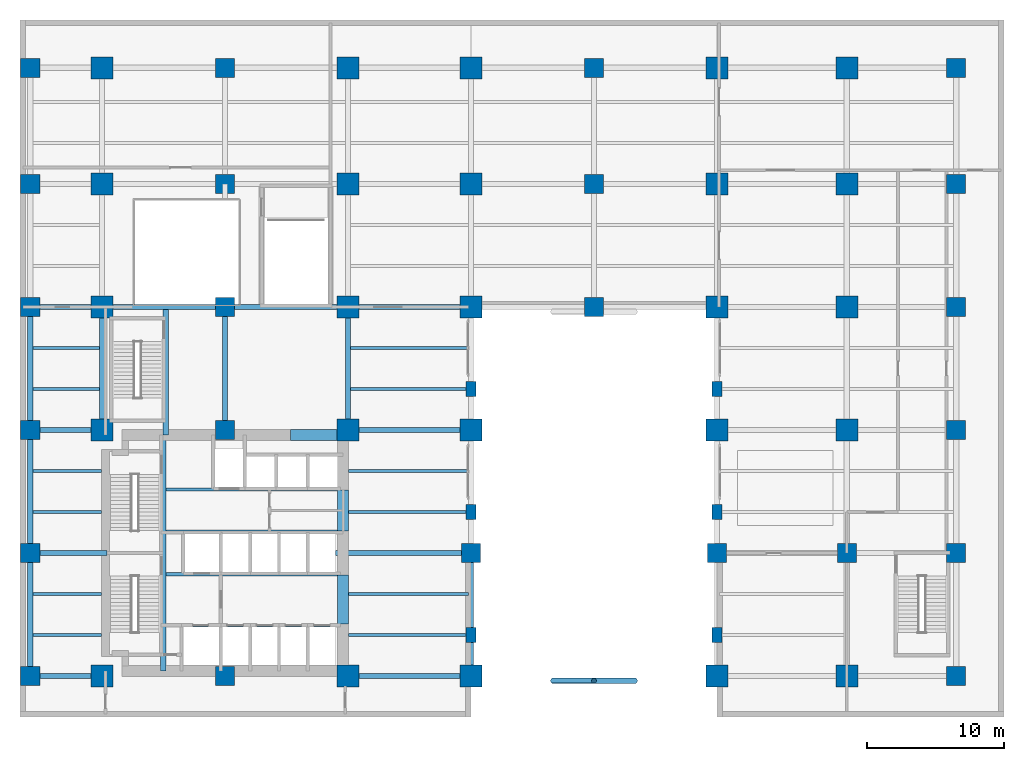
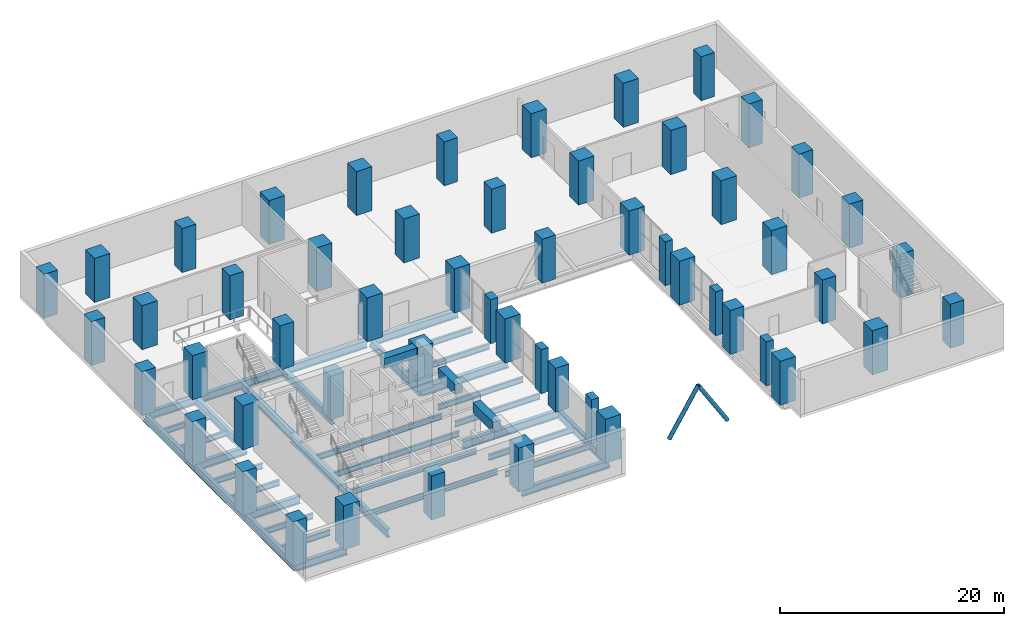
# One storey, part 1 of 13: 54 columns, 38 beams, 2 members.
"""IFC4 building model written with IfcOpenShell, lengths in metres."""

from ifc_helpers import new_model, si_unit, direction, frame, origin, origin_2d, place, context, subcontext, project, spatial, rectangle, hollow_circle, i_section, extrude, material, material_profile, profile_set, type_object, element, save


model = new_model("IFC4")

# Units and contexts
model_context = context("Model", 3, precision=1e-05, world=origin(), true_north=direction((0.0, 1.0)))
body_context = subcontext(model_context, "Body", "Model", "MODEL_VIEW")
ifc_project = project(units=[si_unit("LENGTHUNIT", "METRE"), si_unit("AREAUNIT", "SQUARE_METRE"), si_unit("VOLUMEUNIT", "CUBIC_METRE"), si_unit("PLANEANGLEUNIT", "RADIAN"), si_unit("MASSUNIT", "GRAM", prefix="KILO")], contexts=[model_context])

# Site, building, storey
site_placement = place(None, origin())
site = spatial("IfcSite", under=ifc_project, at=site_placement, CompositionType="ELEMENT")
building_placement = place(site_placement, origin())
building = spatial("IfcBuilding", under=site, at=building_placement, Name="Mawjdan Bourse Tower", CompositionType="ELEMENT")
storey_placement = place(building_placement, frame((0.0, 0.0, 10.800048828125)))
storey = spatial("IfcBuildingStorey", under=building, at=storey_placement, Name="L02", CompositionType="ELEMENT", Elevation=10.800048828125)

# Columns
ifc_material_1 = material(Name="Concrete C80/95", Category="concrete")
ifc_material_profile_1 = material_profile(ifc_material_1, rectangle(XDim=1.39990234375, YDim=1.39990234375, at=origin_2d()), Name="RC1400X1400")
ifc_profile_set_1 = profile_set([ifc_material_profile_1], Name="Concrete C80/95")
column_type_1 = type_object("IfcColumnType", Name="COL-RC1400X1400", PredefinedType="COLUMN", material=ifc_profile_set_1)
for number, where, z_axis, x_axis, name in (
    (1, (0.75, 3.0, 0.0), (0.0, 0.0, 1.0), (1.0, 0.0, 0.0), "L02 Structural Column C-X8-Y30"),
    (2, (0.75, 12.0, 0.0), (0.0, 0.0, 1.0), (1.0, 0.0, 0.0), "L02 Structural Column C-X8-Y120"),
    (3, (0.75, 21.0, 0.0), (0.0, 0.0, 1.0), (1.0, 0.0, 0.0), "L02 Structural Column C-X8-Y210"),
    (4, (0.75, 30.0, 0.0), (0.0, 0.0, 1.0), (1.0, 0.0, 0.0), "L02 Structural Column C-X8-Y300"),
    (5, (0.75, 39.0, 0.0), (0.0, 0.0, 1.0), (1.0, 0.0, 0.0), "L02 Structural Column C-X8-Y390"),
    (6, (0.75, 47.5, 0.0), (0.0, 0.0, 1.0), (1.0, 0.0, 0.0), "L02 Structural Column C-X8-Y475"),
    (7, (15.0, 3.0, 0.0), (0.0, 0.0, 1.0), (1.0, 0.0, 0.0), "L02 Structural Column C-X150-Y30"),
    (8, (15.0, 21.0, 0.0), (0.0, 0.0, 1.0), (1.0, 0.0, 0.0), "L02 Structural Column C-X150-Y210"),
    (9, (15.0, 30.0, 0.0), (0.0, 0.0, 1.0), (1.0, 0.0, 0.0), "L02 Structural Column C-X150-Y300"),
    (10, (15.0, 39.0, 0.0), (0.0, 0.0, 1.0), (1.0, 0.0, 0.0), "L02 Structural Column C-X150-Y390"),
    (11, (15.0, 47.5, 0.0), (0.0, 0.0, 1.0), (1.0, 0.0, 0.0), "L02 Structural Column C-X150-Y475"),
    (12, (33.0, 12.0, 0.0), (0.0, 0.0, 1.0), (1.0, 0.0, 0.0), "L02 Structural Column C-X330-Y120"),
    (13, (42.0, 30.0, 0.0), (0.0, 0.0, 1.0), (1.0, 0.0, 0.0), "L02 Structural Column C-X420-Y300"),
    (14, (42.0, 39.0, 0.0), (0.0, 0.0, 1.0), (1.0, 0.0, 0.0), "L02 Structural Column C-X420-Y390"),
    (15, (42.0, 47.5, 0.0), (0.0, 0.0, 1.0), (1.0, 0.0, 0.0), "L02 Structural Column C-X420-Y475"),
    (16, (51.0, 12.0, 0.0), (0.0, 0.0, 1.0), (1.0, 0.0, 0.0), "L02 Structural Column C-X510-Y120"),
    (17, (60.5, 12.0, 0.0), (0.0, 0.0, 1.0), (1.0, 0.0, 0.0), "L02 Structural Column C-X605-Y120"),
    (18, (68.5, 3.0, 0.0), (0.0, 0.0, 1.0), (1.0, 0.0, 0.0), "L02 Structural Column C-X685-Y30"),
    (19, (68.5, 12.0, 0.0), (0.0, 0.0, 1.0), (1.0, 0.0, 0.0), "L02 Structural Column C-X685-Y120"),
    (20, (68.5, 21.0, 0.0), (0.0, 0.0, 1.0), (1.0, 0.0, 0.0), "L02 Structural Column C-X685-Y210"),
    (21, (68.5, 30.0, 0.0), (0.0, 0.0, 1.0), (1.0, 0.0, 0.0), "L02 Structural Column C-X685-Y300"),
    (22, (68.5, 39.0, 0.0), (0.0, 0.0, 1.0), (1.0, 0.0, 0.0), "L02 Structural Column C-X685-Y390"),
    (23, (68.5, 47.5, 0.0), (0.0, 0.0, 1.0), (1.0, 0.0, 0.0), "L02 Structural Column C-X685-Y475"),
):
    element("IfcColumn", number, at=place(storey_placement, frame(where, z_axis=z_axis, x_axis=x_axis)), inside=storey, type_object=column_type_1, Name=name, PredefinedType="COLUMN", context=body_context, shape_type="SweptSolid", body=[
        extrude(rectangle(XDim=1.39990234375, YDim=1.39990234375, at=origin_2d()), origin(), (0.0, 0.0, 1.0), 4.800048828125),
    ])
ifc_material_profile_2 = material_profile(ifc_material_1, rectangle(XDim=1.60009765625, YDim=1.60009765625, at=origin_2d()), Name="RC1600X1600")
ifc_profile_set_2 = profile_set([ifc_material_profile_2], Name="Concrete C80/95")
column_type_2 = type_object("IfcColumnType", Name="COL-RC1600X1600", PredefinedType="COLUMN", material=ifc_profile_set_2)
for number, where, z_axis, x_axis, name in (
    (24, (6.0, 3.0, 0.0), (0.0, 0.0, 1.0), (1.0, 0.0, 0.0), "L02 Structural Column C-X60-Y30"),
    (25, (6.0, 21.0, 0.0), (0.0, 0.0, 1.0), (1.0, 0.0, 0.0), "L02 Structural Column C-X60-Y210"),
    (26, (6.0, 30.0, 0.0), (0.0, 0.0, 1.0), (1.0, 0.0, 0.0), "L02 Structural Column C-X60-Y300"),
    (27, (6.0, 39.0, 0.0), (0.0, 0.0, 1.0), (1.0, 0.0, 0.0), "L02 Structural Column C-X60-Y390"),
    (28, (6.0, 47.5, 0.0), (0.0, 0.0, 1.0), (1.0, 0.0, 0.0), "L02 Structural Column C-X60-Y475"),
    (29, (24.0, 3.0, 0.0), (0.0, 0.0, 1.0), (1.0, 0.0, 0.0), "L02 Structural Column C-X240-Y30"),
    (30, (24.0, 21.0, 0.0), (0.0, 0.0, 1.0), (1.0, 0.0, 0.0), "L02 Structural Column C-X240-Y210"),
    (31, (24.0, 30.0, 0.0), (0.0, 0.0, 1.0), (1.0, 0.0, 0.0), "L02 Structural Column C-X240-Y300"),
    (32, (24.0, 39.0, 0.0), (0.0, 0.0, 1.0), (1.0, 0.0, 0.0), "L02 Structural Column C-X240-Y390"),
    (33, (24.0, 47.5, 0.0), (0.0, 0.0, 1.0), (1.0, 0.0, 0.0), "L02 Structural Column C-X240-Y475"),
    (34, (33.0, 3.0, 0.0), (0.0, 0.0, 1.0), (1.0, 0.0, 0.0), "L02 Structural Column C-X330-Y30"),
    (35, (33.0, 21.0, 0.0), (0.0, 0.0, 1.0), (1.0, 0.0, 0.0), "L02 Structural Column C-X330-Y210"),
    (36, (33.0, 30.0, 0.0), (0.0, 0.0, 1.0), (1.0, 0.0, 0.0), "L02 Structural Column C-X330-Y300"),
    (37, (33.0, 39.0, 0.0), (0.0, 0.0, 1.0), (1.0, 0.0, 0.0), "L02 Structural Column C-X330-Y390"),
    (38, (33.0, 47.5, 0.0), (0.0, 0.0, 1.0), (1.0, 0.0, 0.0), "L02 Structural Column C-X330-Y475"),
    (39, (51.0, 3.0, 0.0), (0.0, 0.0, 1.0), (1.0, 0.0, 0.0), "L02 Structural Column C-X510-Y30"),
    (40, (51.0, 21.0, 0.0), (0.0, 0.0, 1.0), (1.0, 0.0, 0.0), "L02 Structural Column C-X510-Y210"),
    (41, (51.0, 30.0, 0.0), (0.0, 0.0, 1.0), (1.0, 0.0, 0.0), "L02 Structural Column C-X510-Y300"),
    (42, (51.0, 39.0, 0.0), (0.0, 0.0, 1.0), (1.0, 0.0, 0.0), "L02 Structural Column C-X510-Y390"),
    (43, (51.0, 47.5, 0.0), (0.0, 0.0, 1.0), (1.0, 0.0, 0.0), "L02 Structural Column C-X510-Y475"),
    (44, (60.5, 3.0, 0.0), (0.0, 0.0, 1.0), (1.0, 0.0, 0.0), "L02 Structural Column C-X605-Y30"),
    (45, (60.5, 21.0, 0.0), (0.0, 0.0, 1.0), (1.0, 0.0, 0.0), "L02 Structural Column C-X605-Y210"),
    (46, (60.5, 30.0, 0.0), (0.0, 0.0, 1.0), (1.0, 0.0, 0.0), "L02 Structural Column C-X605-Y300"),
    (47, (60.5, 39.0, 0.0), (0.0, 0.0, 1.0), (1.0, 0.0, 0.0), "L02 Structural Column C-X605-Y390"),
    (48, (60.5, 47.5, 0.0), (0.0, 0.0, 1.0), (1.0, 0.0, 0.0), "L02 Structural Column C-X605-Y475"),
):
    element("IfcColumn", number, at=place(storey_placement, frame(where, z_axis=z_axis, x_axis=x_axis)), inside=storey, type_object=column_type_2, Name=name, PredefinedType="COLUMN", context=body_context, shape_type="SweptSolid", body=[
        extrude(rectangle(XDim=1.60009765625, YDim=1.60009765625, at=origin_2d()), origin(), (0.0, 0.0, 1.0), 4.800048828125),
    ])
ifc_material_2 = material(Name="Concrete C70/85", Category="concrete")
ifc_material_profile_3 = material_profile(ifc_material_2, rectangle(XDim=0.75, YDim=1.10009765625, at=origin_2d()), Name="RC1100X750")
ifc_profile_set_3 = profile_set([ifc_material_profile_3], Name="Concrete C70/85")
column_type_3 = type_object("IfcColumnType", Name="PIL-RC1100X750", PredefinedType="PILASTER", material=ifc_profile_set_3)
for number, where, z_axis, x_axis, name in (
    (49, (33.0, 6.0, 0.0), (0.0, 0.0, 1.0), (1.0, 0.0, 0.0), "L02 Engaged Pier Pilaster PIL-X330-Y60"),
    (50, (33.0, 15.0, 0.0), (0.0, 0.0, 1.0), (1.0, 0.0, 0.0), "L02 Engaged Pier Pilaster PIL-X330-Y150"),
    (51, (33.0, 24.0, 0.0), (0.0, 0.0, 1.0), (1.0, 0.0, 0.0), "L02 Engaged Pier Pilaster PIL-X330-Y240"),
    (52, (51.0, 6.0, 0.0), (0.0, 0.0, 1.0), (1.0, 0.0, 0.0), "L02 Engaged Pier Pilaster PIL-X510-Y60"),
    (53, (51.0, 15.0, 0.0), (0.0, 0.0, 1.0), (1.0, 0.0, 0.0), "L02 Engaged Pier Pilaster PIL-X510-Y150"),
    (54, (51.0, 24.0, 0.0), (0.0, 0.0, 1.0), (1.0, 0.0, 0.0), "L02 Engaged Pier Pilaster PIL-X510-Y240"),
):
    element("IfcColumn", number, at=place(storey_placement, frame(where, z_axis=z_axis, x_axis=x_axis)), inside=storey, type_object=column_type_3, Name=name, PredefinedType="PILASTER", context=body_context, shape_type="SweptSolid", body=[
        extrude(rectangle(XDim=0.75, YDim=1.10009765625, at=origin_2d()), origin(), (0.0, 0.0, 1.0), 4.800048828125),
    ])

# Members
ifc_material_3 = material(Name="Structural Steel S460", Category="steel")
ifc_material_profile_4 = material_profile(ifc_material_3, hollow_circle(Radius=0.203125, WallThickness=0.01611328125, at=origin_2d()), Name="CHS406X16")
ifc_profile_set_4 = profile_set([ifc_material_profile_4], Name="Structural Steel S460")
member_type = type_object("IfcMemberType", Name="ARC-CHS406X16", PredefinedType="USERDEFINED", material=ifc_profile_set_4)
for number, where, z_axis, x_axis, name in (
    (55, (39.0, 2.64990234375, 0.0), (0.529995063044, 0.0, 0.848000727092), (0.0, 1.0, 0.0), "L02 Giant Arch Structural Rib SOUTH 5"),
    (56, (45.0, 2.64990234375, 0.0), (-0.529995063044, 0.0, 0.848000727092), (0.0, -1.0, 0.0), "L02 Giant Arch Structural Rib SOUTH 6"),
):
    element("IfcMember", number, at=place(storey_placement, frame(where, z_axis=z_axis, x_axis=x_axis)), inside=storey, type_object=member_type, Name=name, ObjectType="ARCH RIB", PredefinedType="USERDEFINED", context=body_context, shape_type="SweptSolid", body=[
        extrude(hollow_circle(Radius=0.203125, WallThickness=0.01611328125, at=origin_2d()), origin(), (0.0, 0.0, 1.0), 5.660400390625),
    ])

# Beams
ifc_material_4 = material(Name="Structural Steel S355", Category="steel")
ifc_material_profile_5 = material_profile(ifc_material_4, i_section(OverallWidth=0.39892578125, OverallDepth=0.85595703125, WebThickness=0.018310546875, FlangeThickness=0.029296875, FilletRadius=0.0234375, at=origin_2d()), Name="W33X201")
ifc_profile_set_5 = profile_set([ifc_material_profile_5], Name="Structural Steel S355")
beam_type_1 = type_object("IfcBeamType", Name="GRD-W33X201", PredefinedType="BEAM", material=ifc_profile_set_5)
beam_1_placement = place(storey_placement, frame((10.47998046875, 3.35009765625, -0.72802734375), z_axis=(0.0, 1.0, 0.0), x_axis=(-1.0, 0.0, 0.0)))
element("IfcBeam", 57, at=beam_1_placement, inside=storey, type_object=beam_type_1, Name="L02 Core Stair Trimmer Girder 001", PredefinedType="BEAM", context=body_context, shape_type="SweptSolid", body=[
    extrude(i_section(OverallWidth=0.39892578125, OverallDepth=0.85595703125, WebThickness=0.018310546875, FlangeThickness=0.029296875, FilletRadius=0.0234375, at=origin_2d()), origin(), (0.0, 0.0, 1.0), 17.2998046875),
])
for number, where, z_axis, x_axis, name in (
    (58, (0.75, 3.0, -0.72802734375), (0.0, 1.0, 0.0), (-1.0, 0.0, 0.0), "L02 West Facade Pier Girder 002"),
    (59, (0.75, 12.0, -0.72802734375), (0.0, 1.0, 0.0), (-1.0, 0.0, 0.0), "L02 West Facade Pier Girder 003"),
    (60, (0.75, 21.0, -0.72802734375), (0.0, 1.0, 0.0), (-1.0, 0.0, 0.0), "L02 West Facade Pier Girder 004"),
):
    element("IfcBeam", number, at=place(storey_placement, frame(where, z_axis=z_axis, x_axis=x_axis)), inside=storey, type_object=beam_type_1, Name=name, PredefinedType="BEAM", context=body_context, shape_type="SweptSolid", body=[
        extrude(i_section(OverallWidth=0.39892578125, OverallDepth=0.85595703125, WebThickness=0.018310546875, FlangeThickness=0.029296875, FilletRadius=0.0234375, at=origin_2d()), origin(), (0.0, 0.0, 1.0), 9.0),
    ])
beam_2_placement = place(storey_placement, frame((10.679931640625, 20.64990234375, -0.72802734375), z_axis=(0.0, 1.0, 0.0), x_axis=(-1.0, 0.0, 0.0)))
element("IfcBeam", 61, at=beam_2_placement, inside=storey, type_object=beam_type_1, Name="L02 North Stair Trimmer Girder 007", PredefinedType="BEAM", context=body_context, shape_type="SweptSolid", body=[
    extrude(i_section(OverallWidth=0.39892578125, OverallDepth=0.85595703125, WebThickness=0.018310546875, FlangeThickness=0.029296875, FilletRadius=0.0234375, at=origin_2d()), origin(), (0.0, 0.0, 1.0), 9.152587890625),
])
beam_3_placement = place(storey_placement, frame((6.0, 21.0, -0.72802734375), z_axis=(0.0, 1.0, 0.0), x_axis=(-1.0, 0.0, 0.0)))
element("IfcBeam", 62, at=beam_3_placement, inside=storey, type_object=beam_type_1, Name="L02 Podium Primary Girder 010", PredefinedType="BEAM", context=body_context, shape_type="SweptSolid", body=[
    extrude(i_section(OverallWidth=0.39892578125, OverallDepth=0.85595703125, WebThickness=0.018310546875, FlangeThickness=0.029296875, FilletRadius=0.0234375, at=origin_2d()), origin(), (0.0, 0.0, 1.0), 9.0),
])
beam_4_placement = place(storey_placement, frame((15.0, 21.0, -0.72802734375), z_axis=(0.0, 1.0, 0.0), x_axis=(-1.0, 0.0, 0.0)))
element("IfcBeam", 63, at=beam_4_placement, inside=storey, type_object=beam_type_1, Name="L02 Podium Primary Girder 013", PredefinedType="BEAM", context=body_context, shape_type="SweptSolid", body=[
    extrude(i_section(OverallWidth=0.39892578125, OverallDepth=0.85595703125, WebThickness=0.018310546875, FlangeThickness=0.029296875, FilletRadius=0.0234375, at=origin_2d()), origin(), (0.0, 0.0, 1.0), 9.199951171875),
])
for number, where, z_axis, x_axis, name in (
    (64, (24.0, 21.0, -0.72802734375), (0.0, 1.0, 0.0), (-1.0, 0.0, 0.0), "L02 Podium Primary Girder 016"),
    (65, (33.0, 3.0, -0.72802734375), (0.0, 1.0, 0.0), (-1.0, 0.0, 0.0), "L02 Podium Primary Girder 019"),
):
    element("IfcBeam", number, at=place(storey_placement, frame(where, z_axis=z_axis, x_axis=x_axis)), inside=storey, type_object=beam_type_1, Name=name, PredefinedType="BEAM", context=body_context, shape_type="SweptSolid", body=[
        extrude(i_section(OverallWidth=0.39892578125, OverallDepth=0.85595703125, WebThickness=0.018310546875, FlangeThickness=0.029296875, FilletRadius=0.0234375, at=origin_2d()), origin(), (0.0, 0.0, 1.0), 9.0),
    ])
beam_5_placement = place(storey_placement, frame((0.75, 3.0, -0.72802734375), z_axis=(1.0, 0.0, 0.0), x_axis=(0.0, 1.0, 0.0)))
element("IfcBeam", 66, at=beam_5_placement, inside=storey, type_object=beam_type_1, Name="L02 Podium Tie Girder 041", PredefinedType="BEAM", context=body_context, shape_type="SweptSolid", body=[
    extrude(i_section(OverallWidth=0.39892578125, OverallDepth=0.85595703125, WebThickness=0.018310546875, FlangeThickness=0.029296875, FilletRadius=0.0234375, at=origin_2d()), origin(), (0.0, 0.0, 1.0), 5.25),
])
beam_6_placement = place(storey_placement, frame((24.0, 3.0, -0.72802734375), z_axis=(1.0, 0.0, 0.0), x_axis=(0.0, 1.0, 0.0)))
element("IfcBeam", 67, at=beam_6_placement, inside=storey, type_object=beam_type_1, Name="L02 Podium Tie Girder 042", PredefinedType="BEAM", context=body_context, shape_type="SweptSolid", body=[
    extrude(i_section(OverallWidth=0.39892578125, OverallDepth=0.85595703125, WebThickness=0.018310546875, FlangeThickness=0.029296875, FilletRadius=0.0234375, at=origin_2d()), origin(), (0.0, 0.0, 1.0), 9.0),
])
beam_7_placement = place(storey_placement, frame((0.75, 12.0, -0.72802734375), z_axis=(1.0, 0.0, 0.0), x_axis=(0.0, 1.0, 0.0)))
element("IfcBeam", 68, at=beam_7_placement, inside=storey, type_object=beam_type_1, Name="L02 Podium Core Tie Girder 045", PredefinedType="BEAM", context=body_context, shape_type="SweptSolid", body=[
    extrude(i_section(OverallWidth=0.39892578125, OverallDepth=0.85595703125, WebThickness=0.018310546875, FlangeThickness=0.029296875, FilletRadius=0.0234375, at=origin_2d()), origin(), (0.0, 0.0, 1.0), 5.60009765625),
])
beam_8_placement = place(storey_placement, frame((23.10009765625, 12.0, -0.72802734375), z_axis=(1.0, 0.0, 0.0), x_axis=(0.0, 1.0, 0.0)))
element("IfcBeam", 69, at=beam_8_placement, inside=storey, type_object=beam_type_1, Name="L02 Podium Tie Girder 046", PredefinedType="BEAM", context=body_context, shape_type="SweptSolid", body=[
    extrude(i_section(OverallWidth=0.39892578125, OverallDepth=0.85595703125, WebThickness=0.018310546875, FlangeThickness=0.029296875, FilletRadius=0.0234375, at=origin_2d()), origin(), (0.0, 0.0, 1.0), 9.89990234375),
])
beam_9_placement = place(storey_placement, frame((0.75, 21.0, -0.72802734375), z_axis=(1.0, 0.0, 0.0), x_axis=(0.0, 1.0, 0.0)))
element("IfcBeam", 70, at=beam_9_placement, inside=storey, type_object=beam_type_1, Name="L02 Podium Tie Girder 049", PredefinedType="BEAM", context=body_context, shape_type="SweptSolid", body=[
    extrude(i_section(OverallWidth=0.39892578125, OverallDepth=0.85595703125, WebThickness=0.018310546875, FlangeThickness=0.029296875, FilletRadius=0.0234375, at=origin_2d()), origin(), (0.0, 0.0, 1.0), 5.25),
])
beam_10_placement = place(storey_placement, frame((24.0, 21.0, -0.72802734375), z_axis=(1.0, 0.0, 0.0), x_axis=(0.0, 1.0, 0.0)))
element("IfcBeam", 71, at=beam_10_placement, inside=storey, type_object=beam_type_1, Name="L02 Podium Tie Girder 050", PredefinedType="BEAM", context=body_context, shape_type="SweptSolid", body=[
    extrude(i_section(OverallWidth=0.39892578125, OverallDepth=0.85595703125, WebThickness=0.018310546875, FlangeThickness=0.029296875, FilletRadius=0.0234375, at=origin_2d()), origin(), (0.0, 0.0, 1.0), 9.0),
])
beam_11_placement = place(storey_placement, frame((0.75, 30.0, -0.72802734375), z_axis=(1.0, 0.0, 0.0), x_axis=(0.0, 1.0, 0.0)))
element("IfcBeam", 72, at=beam_11_placement, inside=storey, type_object=beam_type_1, Name="L02 Podium Tie Girder 053", PredefinedType="BEAM", context=body_context, shape_type="SweptSolid", body=[
    extrude(i_section(OverallWidth=0.39892578125, OverallDepth=0.85595703125, WebThickness=0.018310546875, FlangeThickness=0.029296875, FilletRadius=0.0234375, at=origin_2d()), origin(), (0.0, 0.0, 1.0), 5.25),
])
for number, where, z_axis, x_axis, name in (
    (73, (6.35009765625, 30.0, -0.72802734375), (1.0, 0.0, 0.0), (0.0, 1.0, 0.0), "L02 Podium Tie Girder 054"),
    (74, (15.0, 30.0, -0.72802734375), (1.0, 0.0, 0.0), (0.0, 1.0, 0.0), "L02 Podium Tie Girder 055"),
):
    element("IfcBeam", number, at=place(storey_placement, frame(where, z_axis=z_axis, x_axis=x_axis)), inside=storey, type_object=beam_type_1, Name=name, PredefinedType="BEAM", context=body_context, shape_type="SweptSolid", body=[
        extrude(i_section(OverallWidth=0.39892578125, OverallDepth=0.85595703125, WebThickness=0.018310546875, FlangeThickness=0.029296875, FilletRadius=0.0234375, at=origin_2d()), origin(), (0.0, 0.0, 1.0), 8.64990234375),
    ])
beam_12_placement = place(storey_placement, frame((24.0, 30.0, -0.72802734375), z_axis=(1.0, 0.0, 0.0), x_axis=(0.0, 1.0, 0.0)))
element("IfcBeam", 75, at=beam_12_placement, inside=storey, type_object=beam_type_1, Name="L02 Podium Tie Girder 056", PredefinedType="BEAM", context=body_context, shape_type="SweptSolid", body=[
    extrude(i_section(OverallWidth=0.39892578125, OverallDepth=0.85595703125, WebThickness=0.018310546875, FlangeThickness=0.029296875, FilletRadius=0.0234375, at=origin_2d()), origin(), (0.0, 0.0, 1.0), 9.0),
])
ifc_material_profile_6 = material_profile(ifc_material_4, i_section(OverallWidth=0.22998046875, OverallDepth=0.616943359375, WebThickness=0.01318359375, FlangeThickness=0.022216796875, FilletRadius=0.017822265625, at=origin_2d()), Name="W24X94")
ifc_profile_set_6 = profile_set([ifc_material_profile_6], Name="Structural Steel S355")
beam_type_2 = type_object("IfcBeamType", Name="JST-W24X94", PredefinedType="JOIST", material=ifc_profile_set_6)
beam_13_placement = place(storey_placement, frame((0.947509765625, 6.0, -0.608642578125), z_axis=(1.0, 0.0, 0.0), x_axis=(0.0, 1.0, 0.0)))
element("IfcBeam", 76, at=beam_13_placement, inside=storey, type_object=beam_type_2, Name="L02 Composite Floor Joist 077", PredefinedType="JOIST", context=body_context, shape_type="SweptSolid", body=[
    extrude(i_section(OverallWidth=0.22998046875, OverallDepth=0.616943359375, WebThickness=0.01318359375, FlangeThickness=0.022216796875, FilletRadius=0.017822265625, at=origin_2d()), origin(), (0.0, 0.0, 1.0), 5.012451171875),
])
beam_14_placement = place(storey_placement, frame((24.0400390625, 6.0, -0.608642578125), z_axis=(1.0, 0.0, 0.0), x_axis=(0.0, 1.0, 0.0)))
element("IfcBeam", 77, at=beam_14_placement, inside=storey, type_object=beam_type_2, Name="L02 Composite Floor Joist 078", PredefinedType="JOIST", context=body_context, shape_type="SweptSolid", body=[
    extrude(i_section(OverallWidth=0.22998046875, OverallDepth=0.616943359375, WebThickness=0.01318359375, FlangeThickness=0.022216796875, FilletRadius=0.017822265625, at=origin_2d()), origin(), (0.0, 0.0, 1.0), 8.762451171875),
])
beam_15_placement = place(storey_placement, frame((0.947509765625, 9.0, -0.608642578125), z_axis=(1.0, 0.0, 0.0), x_axis=(0.0, 1.0, 0.0)))
element("IfcBeam", 78, at=beam_15_placement, inside=storey, type_object=beam_type_2, Name="L02 Composite Floor Joist 080", PredefinedType="JOIST", context=body_context, shape_type="SweptSolid", body=[
    extrude(i_section(OverallWidth=0.22998046875, OverallDepth=0.616943359375, WebThickness=0.01318359375, FlangeThickness=0.022216796875, FilletRadius=0.017822265625, at=origin_2d()), origin(), (0.0, 0.0, 1.0), 5.012451171875),
])
beam_16_placement = place(storey_placement, frame((24.0400390625, 9.0, -0.608642578125), z_axis=(1.0, 0.0, 0.0), x_axis=(0.0, 1.0, 0.0)))
element("IfcBeam", 79, at=beam_16_placement, inside=storey, type_object=beam_type_2, Name="L02 Composite Floor Joist 081", PredefinedType="JOIST", context=body_context, shape_type="SweptSolid", body=[
    extrude(i_section(OverallWidth=0.22998046875, OverallDepth=0.616943359375, WebThickness=0.01318359375, FlangeThickness=0.022216796875, FilletRadius=0.017822265625, at=origin_2d()), origin(), (0.0, 0.0, 1.0), 8.762451171875),
])
beam_17_placement = place(storey_placement, frame((0.947509765625, 15.0, -0.608642578125), z_axis=(1.0, 0.0, 0.0), x_axis=(0.0, 1.0, 0.0)))
element("IfcBeam", 80, at=beam_17_placement, inside=storey, type_object=beam_type_2, Name="L02 Composite Floor Joist 083", PredefinedType="JOIST", context=body_context, shape_type="SweptSolid", body=[
    extrude(i_section(OverallWidth=0.22998046875, OverallDepth=0.616943359375, WebThickness=0.01318359375, FlangeThickness=0.022216796875, FilletRadius=0.017822265625, at=origin_2d()), origin(), (0.0, 0.0, 1.0), 5.012451171875),
])
beam_18_placement = place(storey_placement, frame((24.0400390625, 15.0, -0.608642578125), z_axis=(1.0, 0.0, 0.0), x_axis=(0.0, 1.0, 0.0)))
element("IfcBeam", 81, at=beam_18_placement, inside=storey, type_object=beam_type_2, Name="L02 Composite Floor Joist 084", PredefinedType="JOIST", context=body_context, shape_type="SweptSolid", body=[
    extrude(i_section(OverallWidth=0.22998046875, OverallDepth=0.616943359375, WebThickness=0.01318359375, FlangeThickness=0.022216796875, FilletRadius=0.017822265625, at=origin_2d()), origin(), (0.0, 0.0, 1.0), 8.762451171875),
])
beam_19_placement = place(storey_placement, frame((0.947509765625, 18.0, -0.608642578125), z_axis=(1.0, 0.0, 0.0), x_axis=(0.0, 1.0, 0.0)))
element("IfcBeam", 82, at=beam_19_placement, inside=storey, type_object=beam_type_2, Name="L02 Composite Floor Joist 087", PredefinedType="JOIST", context=body_context, shape_type="SweptSolid", body=[
    extrude(i_section(OverallWidth=0.22998046875, OverallDepth=0.616943359375, WebThickness=0.01318359375, FlangeThickness=0.022216796875, FilletRadius=0.017822265625, at=origin_2d()), origin(), (0.0, 0.0, 1.0), 5.012451171875),
])
beam_20_placement = place(storey_placement, frame((24.0400390625, 18.0, -0.608642578125), z_axis=(1.0, 0.0, 0.0), x_axis=(0.0, 1.0, 0.0)))
element("IfcBeam", 83, at=beam_20_placement, inside=storey, type_object=beam_type_2, Name="L02 Composite Floor Joist 088", PredefinedType="JOIST", context=body_context, shape_type="SweptSolid", body=[
    extrude(i_section(OverallWidth=0.22998046875, OverallDepth=0.616943359375, WebThickness=0.01318359375, FlangeThickness=0.022216796875, FilletRadius=0.017822265625, at=origin_2d()), origin(), (0.0, 0.0, 1.0), 8.762451171875),
])
beam_21_placement = place(storey_placement, frame((0.947509765625, 24.0, -0.608642578125), z_axis=(1.0, 0.0, 0.0), x_axis=(0.0, 1.0, 0.0)))
element("IfcBeam", 84, at=beam_21_placement, inside=storey, type_object=beam_type_2, Name="L02 Composite Floor Joist 091", PredefinedType="JOIST", context=body_context, shape_type="SweptSolid", body=[
    extrude(i_section(OverallWidth=0.22998046875, OverallDepth=0.616943359375, WebThickness=0.01318359375, FlangeThickness=0.022216796875, FilletRadius=0.017822265625, at=origin_2d()), origin(), (0.0, 0.0, 1.0), 4.85498046875),
])
beam_22_placement = place(storey_placement, frame((24.197509765625, 24.0, -0.608642578125), z_axis=(1.0, 0.0, 0.0), x_axis=(0.0, 1.0, 0.0)))
element("IfcBeam", 85, at=beam_22_placement, inside=storey, type_object=beam_type_2, Name="L02 Composite Floor Joist 092", PredefinedType="JOIST", context=body_context, shape_type="SweptSolid", body=[
    extrude(i_section(OverallWidth=0.22998046875, OverallDepth=0.616943359375, WebThickness=0.01318359375, FlangeThickness=0.022216796875, FilletRadius=0.017822265625, at=origin_2d()), origin(), (0.0, 0.0, 1.0), 8.60498046875),
])
beam_23_placement = place(storey_placement, frame((0.947509765625, 27.0, -0.608642578125), z_axis=(1.0, 0.0, 0.0), x_axis=(0.0, 1.0, 0.0)))
element("IfcBeam", 86, at=beam_23_placement, inside=storey, type_object=beam_type_2, Name="L02 Composite Floor Joist 095", PredefinedType="JOIST", context=body_context, shape_type="SweptSolid", body=[
    extrude(i_section(OverallWidth=0.22998046875, OverallDepth=0.616943359375, WebThickness=0.01318359375, FlangeThickness=0.022216796875, FilletRadius=0.017822265625, at=origin_2d()), origin(), (0.0, 0.0, 1.0), 4.85498046875),
])
beam_24_placement = place(storey_placement, frame((24.197509765625, 27.0, -0.608642578125), z_axis=(1.0, 0.0, 0.0), x_axis=(0.0, 1.0, 0.0)))
element("IfcBeam", 87, at=beam_24_placement, inside=storey, type_object=beam_type_2, Name="L02 Composite Floor Joist 096", PredefinedType="JOIST", context=body_context, shape_type="SweptSolid", body=[
    extrude(i_section(OverallWidth=0.22998046875, OverallDepth=0.616943359375, WebThickness=0.01318359375, FlangeThickness=0.022216796875, FilletRadius=0.017822265625, at=origin_2d()), origin(), (0.0, 0.0, 1.0), 8.60498046875),
])
for number, where, z_axis, x_axis, name in (
    (88, (10.677490234375, 6.699951171875, -0.608642578125), (1.0, 0.0, 0.0), (0.0, 1.0, 0.0), "L02 Core Slab Joist 127"),
    (89, (10.677490234375, 10.449951171875, -0.608642578125), (1.0, 0.0, 0.0), (0.0, 1.0, 0.0), "L02 Core Slab Joist 128"),
    (90, (10.677490234375, 13.550048828125, -0.608642578125), (1.0, 0.0, 0.0), (0.0, 1.0, 0.0), "L02 Core Slab Joist 129"),
    (91, (10.677490234375, 16.64990234375, -0.608642578125), (1.0, 0.0, 0.0), (0.0, 1.0, 0.0), "L02 Core Slab Joist 130"),
):
    element("IfcBeam", number, at=place(storey_placement, frame(where, z_axis=z_axis, x_axis=x_axis)), inside=storey, type_object=beam_type_2, Name=name, PredefinedType="JOIST", context=body_context, shape_type="SweptSolid", body=[
        extrude(i_section(OverallWidth=0.22998046875, OverallDepth=0.616943359375, WebThickness=0.01318359375, FlangeThickness=0.022216796875, FilletRadius=0.017822265625, at=origin_2d()), origin(), (0.0, 0.0, 1.0), 12.972412109375),
    ])
ifc_material_profile_7 = material_profile(ifc_material_2, rectangle(XDim=0.800048828125, YDim=1.10009765625, at=origin_2d()), Name="RCB800X1100")
ifc_profile_set_7 = profile_set([ifc_material_profile_7], Name="Concrete C70/85")
beam_type_3 = type_object("IfcBeamType", Name="LNT-RCB800X1100", PredefinedType="LINTEL", material=ifc_profile_set_7)
beam_25_placement = place(storey_placement, frame((23.64990234375, 6.800048828125, 4.25), z_axis=(0.0, 1.0, 0.0), x_axis=(-1.0, 0.0, 0.0)))
element("IfcBeam", 92, at=beam_25_placement, inside=storey, type_object=beam_type_3, Name="L02 Coupled Core Lintel CB-E1", PredefinedType="LINTEL", context=body_context, shape_type="SweptSolid", body=[
    extrude(rectangle(XDim=0.800048828125, YDim=1.10009765625, at=origin_2d()), origin(), (0.0, 0.0, 1.0), 3.599853515625),
])
beam_26_placement = place(storey_placement, frame((23.64990234375, 13.60009765625, 4.25), z_axis=(0.0, 1.0, 0.0), x_axis=(-1.0, 0.0, 0.0)))
element("IfcBeam", 93, at=beam_26_placement, inside=storey, type_object=beam_type_3, Name="L02 Coupled Core Lintel CB-E2", PredefinedType="LINTEL", context=body_context, shape_type="SweptSolid", body=[
    extrude(rectangle(XDim=0.800048828125, YDim=1.10009765625, at=origin_2d()), origin(), (0.0, 0.0, 1.0), 3.0),
])
beam_27_placement = place(storey_placement, frame((19.800048828125, 20.64990234375, 4.25), z_axis=(1.0, 0.0, 0.0), x_axis=(0.0, 1.0, 0.0)))
element("IfcBeam", 94, at=beam_27_placement, inside=storey, type_object=beam_type_3, Name="L02 Coupled Core Lintel CB-N1", PredefinedType="LINTEL", context=body_context, shape_type="SweptSolid", body=[
    extrude(rectangle(XDim=0.800048828125, YDim=1.10009765625, at=origin_2d()), origin(), (0.0, 0.0, 1.0), 3.849853515625),
])

save(model, "model.ifc")
